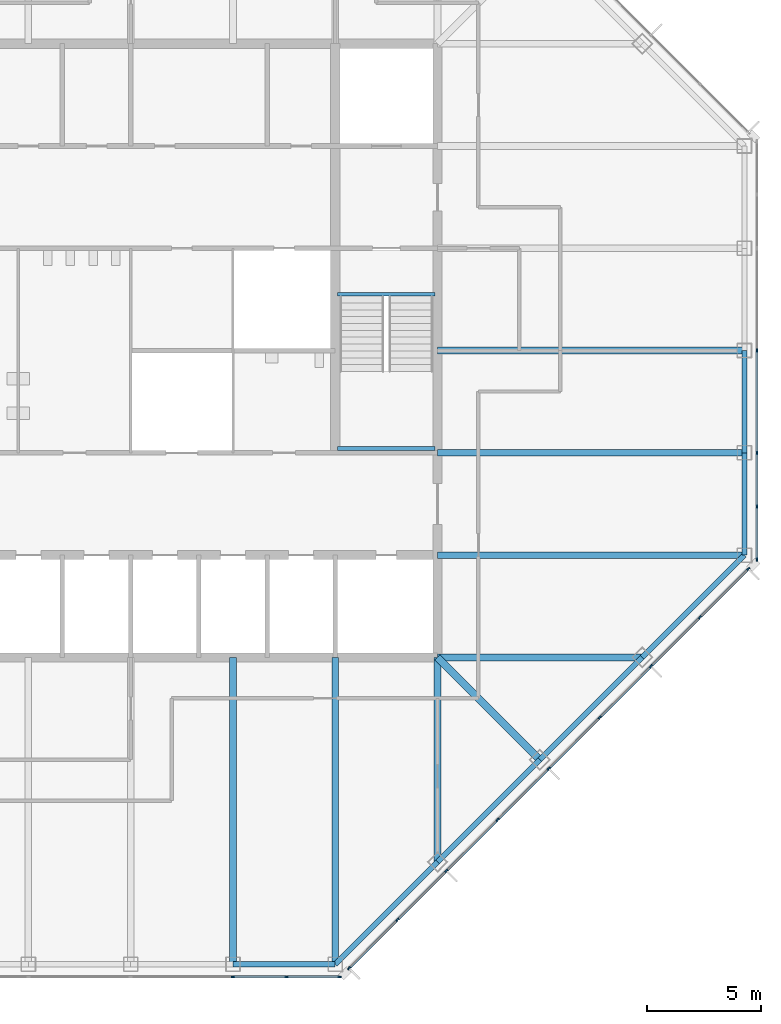
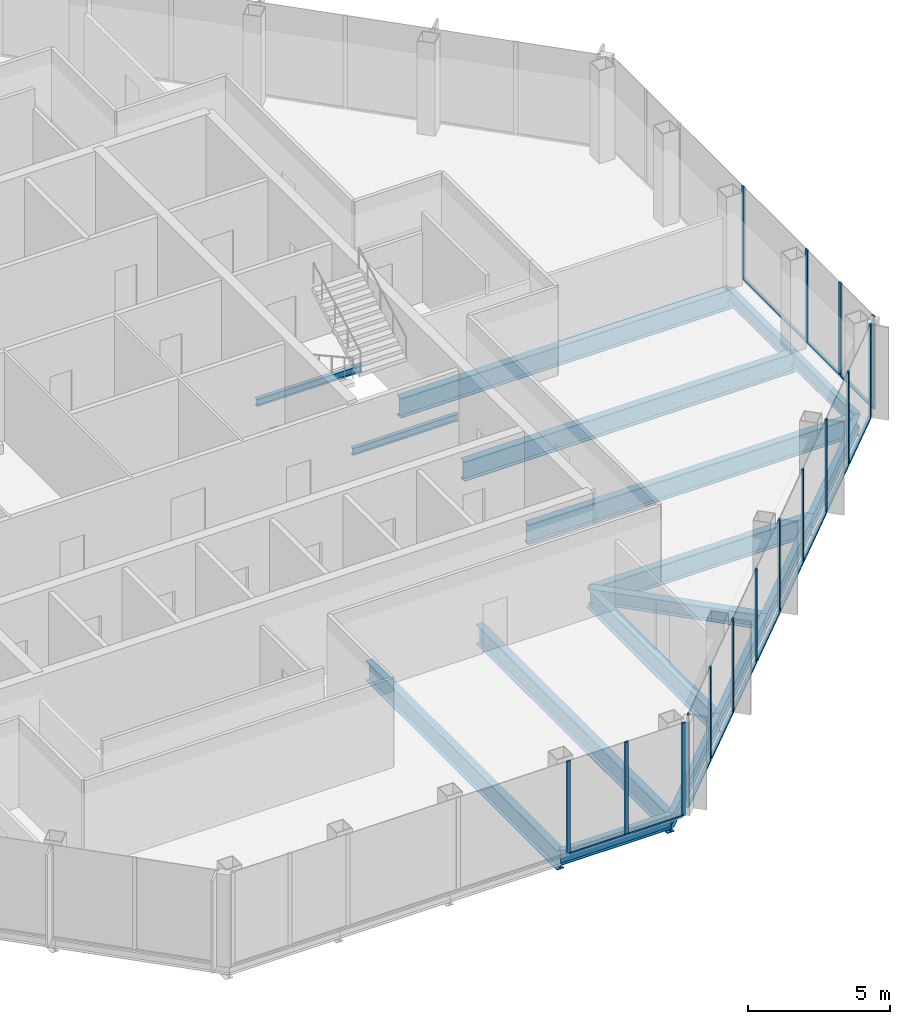
# One storey, part 4 of 13: 29 members, 17 beams, 3 elements without a shape of their own.
"""IFC4 building model written with IfcOpenShell, lengths in metres."""

from ifc_helpers import new_model, si_unit, direction, frame, origin, origin_2d, place, context, subcontext, project, spatial, rectangle, i_section, extrude, material, material_profile, profile_set, type_object, element, aggregate, save


model = new_model("IFC4")

# Units and contexts
model_context = context("Model", 3, precision=1e-05, world=origin(), true_north=direction((0.0, 1.0)))
body_context = subcontext(model_context, "Body", "Model", "MODEL_VIEW")
ifc_project = project(units=[si_unit("LENGTHUNIT", "METRE"), si_unit("AREAUNIT", "SQUARE_METRE"), si_unit("VOLUMEUNIT", "CUBIC_METRE"), si_unit("PLANEANGLEUNIT", "RADIAN"), si_unit("MASSUNIT", "GRAM", prefix="KILO")], contexts=[model_context])

# Site, building, storey
site_placement = place(None, origin())
site = spatial("IfcSite", under=ifc_project, at=site_placement, CompositionType="ELEMENT")
building_placement = place(site_placement, origin())
building = spatial("IfcBuilding", under=site, at=building_placement, Name="Corais Broadcast Tower", CompositionType="ELEMENT")
storey_placement = place(building_placement, frame((0.0, 0.0, 242.60009765625)))
storey = spatial("IfcBuildingStorey", under=building, at=storey_placement, Name="L56", CompositionType="ELEMENT", Elevation=242.60009765625)

# Beams
ifc_material_1 = material(Name="Steel ASTM A572 Grade 50", Category="steel")
ifc_material_profile_1 = material_profile(ifc_material_1, i_section(OverallWidth=0.323974609375, OverallDepth=0.611083984375, WebThickness=0.0126953125, FlangeThickness=0.01904296875, at=origin_2d()), Name="W610x155")
ifc_profile_set_1 = profile_set([ifc_material_profile_1], Name="Steel ASTM A572 Grade 50")
beam_type_1 = type_object("IfcBeamType", Name="Corner diagonal W610x155", PredefinedType="BEAM", material=ifc_profile_set_1)
beam_1_placement = place(storey_placement, frame((45.0, 9.0, -0.465576171875), z_axis=(-0.707106781187, 0.707106781187, 0.0), x_axis=(-0.707106781187, -0.707106781187, 0.0)))
element("IfcBeam", 1, at=beam_1_placement, inside=storey, type_object=beam_type_1, Name="B6 C/13 to D/12", PredefinedType="BEAM", context=body_context, shape_type="SweptSolid", body=[
    extrude(i_section(OverallWidth=0.323974609375, OverallDepth=0.611083984375, WebThickness=0.0126953125, FlangeThickness=0.01904296875, at=origin_2d()), origin(), (0.0, 0.0, 1.0), 6.364013671875),
])
ifc_material_2 = material(Name="Steel ASTM A572 Grade 50", Category="steel")
ifc_material_profile_2 = material_profile(ifc_material_2, i_section(OverallWidth=0.2939453125, OverallDepth=0.85107421875, WebThickness=0.01611328125, FlangeThickness=0.02685546875, at=origin_2d()), Name="W840x226")
ifc_profile_set_2 = profile_set([ifc_material_profile_2], Name="Steel ASTM A572 Grade 50")
beam_type_2 = type_object("IfcBeamType", Name="Floor beam W840x226", PredefinedType="BEAM", material=ifc_profile_set_2)
for number, where, z_axis, x_axis, name in (
    (2, (31.5, 0.0, -0.585693359375), (0.0, 1.0, 0.0), (-1.0, 0.0, 0.0), "B1 A/10 to D/10"),
    (3, (36.0, 0.0, -0.585693359375), (0.0, 1.0, 0.0), (-1.0, 0.0, 0.0), "B1 A/11 to D/11"),
):
    element("IfcBeam", number, at=place(storey_placement, frame(where, z_axis=z_axis, x_axis=x_axis)), inside=storey, type_object=beam_type_2, Name=name, PredefinedType="BEAM", context=body_context, shape_type="SweptSolid", body=[
        extrude(i_section(OverallWidth=0.2939453125, OverallDepth=0.85107421875, WebThickness=0.01611328125, FlangeThickness=0.02685546875, at=origin_2d()), origin(), (0.0, 0.0, 1.0), 13.5),
    ])
for number, where, z_axis, x_axis, name in (
    (4, (40.5, 4.5, -0.585693359375), (0.0, 1.0, 0.0), (-1.0, 0.0, 0.0), "B1 B/12 to D/12"),
    (5, (49.5, 13.5, -0.585693359375), (-1.0, 0.0, 0.0), (0.0, -1.0, 0.0), "B1 D/14 to D/12"),
):
    element("IfcBeam", number, at=place(storey_placement, frame(where, z_axis=z_axis, x_axis=x_axis)), inside=storey, type_object=beam_type_2, Name=name, PredefinedType="BEAM", context=body_context, shape_type="SweptSolid", body=[
        extrude(i_section(OverallWidth=0.2939453125, OverallDepth=0.85107421875, WebThickness=0.01611328125, FlangeThickness=0.02685546875, at=origin_2d()), origin(), (0.0, 0.0, 1.0), 9.0),
    ])
for number, where, z_axis, x_axis, name in (
    (6, (54.0, 18.0, -0.585693359375), (-1.0, 0.0, 0.0), (0.0, -1.0, 0.0), "B1 E/15 to E/12"),
    (7, (54.0, 22.5, -0.585693359375), (-1.0, 0.0, 0.0), (0.0, -1.0, 0.0), "B1 F/15 to F/12"),
    (8, (54.0, 27.0, -0.585693359375), (-1.0, 0.0, 0.0), (0.0, -1.0, 0.0), "B1 G/15 to G/12"),
):
    element("IfcBeam", number, at=place(storey_placement, frame(where, z_axis=z_axis, x_axis=x_axis)), inside=storey, type_object=beam_type_2, Name=name, PredefinedType="BEAM", context=body_context, shape_type="SweptSolid", body=[
        extrude(i_section(OverallWidth=0.2939453125, OverallDepth=0.85107421875, WebThickness=0.01611328125, FlangeThickness=0.02685546875, at=origin_2d()), origin(), (0.0, 0.0, 1.0), 13.5),
    ])
ifc_material_3 = material(Name="Steel ASTM A572 Grade 50", Category="steel")
ifc_material_profile_3 = material_profile(ifc_material_3, i_section(OverallWidth=0.1650390625, OverallDepth=0.31005859375, WebThickness=0.005859375, FlangeThickness=0.009765625, at=origin_2d()), Name="W310x38.7")
ifc_profile_set_3 = profile_set([ifc_material_profile_3], Name="Steel ASTM A572 Grade 50")
beam_type_3 = type_object("IfcBeamType", Name="Landing trimmer W310x38.7", PredefinedType="BEAM", material=ifc_profile_set_3)
for number, where, z_axis, x_axis, name in (
    (9, (36.10009765625, 29.47509765625, -0.35498046875), (1.0, 0.0, 0.0), (0.0, 1.0, 0.0), "LT1 stair B landing trimmer L56"),
    (10, (36.10009765625, 22.68994140625, 1.64501953125), (1.0, 0.0, 0.0), (0.0, 1.0, 0.0), "LT1 stair B half landing trimmer L56"),
):
    element("IfcBeam", number, at=place(storey_placement, frame(where, z_axis=z_axis, x_axis=x_axis)), inside=storey, type_object=beam_type_3, Name=name, PredefinedType="BEAM", context=body_context, shape_type="SweptSolid", body=[
        extrude(i_section(OverallWidth=0.1650390625, OverallDepth=0.31005859375, WebThickness=0.005859375, FlangeThickness=0.009765625, at=origin_2d()), origin(), (0.0, 0.0, 1.0), 4.2998046875),
    ])

# Curtain wall, members
ifc_material_4 = material(Name="Aluminium and glass", Category="aluminium")
curtain_wall_type = type_object("IfcCurtainWallType", Name="Unitised fritted curtain wall CW3", PredefinedType="NOTDEFINED", material=ifc_material_4)
curtain_wall_1_placement = place(storey_placement, origin())
curtain_wall_1 = element("IfcCurtainWall", 11, at=curtain_wall_1_placement, inside=storey, type_object=curtain_wall_type, Name="CW3 curtain wall L56 6", PredefinedType="NOTDEFINED")
ifc_material_5 = material(Name="Aluminium 6063-T6", Category="aluminium")
ifc_material_profile_4 = material_profile(ifc_material_5, rectangle(XDim=0.06494140625, YDim=0.159912109375, at=origin_2d()), Name="Mullion CW3 65x160")
ifc_profile_set_4 = profile_set([ifc_material_profile_4], Name="Aluminium 6063-T6")
member_type_1 = type_object("IfcMemberType", Name="Mullion CW3 65x160", PredefinedType="MULLION", material=ifc_profile_set_4)
member_1_placement = place(storey_placement, frame((54.550048828125, 27.0, 0.0), z_axis=(0.0, 0.0, 1.0), x_axis=(1.0, 0.0, 0.0)))
member_1 = element("IfcMember", 12, at=member_1_placement, type_object=member_type_1, Name="CW3 mullion 4", PredefinedType="MULLION", context=body_context, shape_type="SweptSolid", body=[
    extrude(rectangle(XDim=0.06494140625, YDim=0.159912109375, at=origin_2d()), origin(), (0.0, 0.0, 1.0), 4.0),
])
member_2_placement = place(storey_placement, frame((54.550048828125, 22.5, 0.0), z_axis=(0.0, 0.0, 1.0), x_axis=(1.0, 0.0, 0.0)))
member_2 = element("IfcMember", 13, at=member_2_placement, type_object=member_type_1, Name="CW3 mullion 5", PredefinedType="MULLION", context=body_context, shape_type="SweptSolid", body=[
    extrude(rectangle(XDim=0.06494140625, YDim=0.159912109375, at=origin_2d()), origin(), (0.0, 0.0, 1.0), 4.0),
])
member_3_placement = place(storey_placement, frame((54.550048828125, 20.135986328125, 0.0), z_axis=(0.0, 0.0, 1.0), x_axis=(1.0, 0.0, 0.0)))
member_3 = element("IfcMember", 14, at=member_3_placement, type_object=member_type_1, Name="CW3 mullion 6", PredefinedType="MULLION", context=body_context, shape_type="SweptSolid", body=[
    extrude(rectangle(XDim=0.06494140625, YDim=0.159912109375, at=origin_2d()), origin(), (0.0, 0.0, 1.0), 4.0),
])
member_4_placement = place(storey_placement, frame((54.550048828125, 17.8046875, 0.0), z_axis=(0.0, 0.0, 1.0), x_axis=(1.0, 0.0, 0.0)))
member_4 = element("IfcMember", 15, at=member_4_placement, type_object=member_type_1, Name="CW3 mullion 7", PredefinedType="MULLION", context=body_context, shape_type="SweptSolid", body=[
    extrude(rectangle(XDim=0.06494140625, YDim=0.159912109375, at=origin_2d()), origin(), (0.0, 0.0, 1.0), 4.0),
])

curtain_wall_2_placement = place(storey_placement, origin())
curtain_wall_2 = element("IfcCurtainWall", 16, at=curtain_wall_2_placement, inside=storey, type_object=curtain_wall_type, Name="CW3 curtain wall L56 7", PredefinedType="NOTDEFINED")
member_5_placement = place(storey_placement, frame((54.17333984375, 17.3955078125, 0.0), z_axis=(0.0, 0.0, 1.0), x_axis=(0.707106781187, -0.707106781187, 0.0)))
member_5 = element("IfcMember", 17, at=member_5_placement, type_object=member_type_1, Name="CW3 mullion 1", PredefinedType="MULLION", context=body_context, shape_type="SweptSolid", body=[
    extrude(rectangle(XDim=0.06494140625, YDim=0.159912109375, at=origin_2d()), origin(), (0.0, 0.0, 1.0), 4.0),
])
member_6_placement = place(storey_placement, frame((52.042724609375, 15.264892578125, 0.0), z_axis=(0.0, 0.0, 1.0), x_axis=(0.707106781187, -0.707106781187, 0.0)))
member_6 = element("IfcMember", 18, at=member_6_placement, type_object=member_type_1, Name="CW3 mullion 2", PredefinedType="MULLION", context=body_context, shape_type="SweptSolid", body=[
    extrude(rectangle(XDim=0.06494140625, YDim=0.159912109375, at=origin_2d()), origin(), (0.0, 0.0, 1.0), 4.0),
])
member_7_placement = place(storey_placement, frame((49.888916015625, 13.111083984375, 0.0), z_axis=(0.0, 0.0, 1.0), x_axis=(0.707106781187, -0.707106781187, 0.0)))
member_7 = element("IfcMember", 19, at=member_7_placement, type_object=member_type_1, Name="CW3 mullion 3", PredefinedType="MULLION", context=body_context, shape_type="SweptSolid", body=[
    extrude(rectangle(XDim=0.06494140625, YDim=0.159912109375, at=origin_2d()), origin(), (0.0, 0.0, 1.0), 4.0),
])
member_8_placement = place(storey_placement, frame((47.638916015625, 10.861083984375, 0.0), z_axis=(0.0, 0.0, 1.0), x_axis=(0.707106781187, -0.707106781187, 0.0)))
member_8 = element("IfcMember", 20, at=member_8_placement, type_object=member_type_1, Name="CW3 mullion 4", PredefinedType="MULLION", context=body_context, shape_type="SweptSolid", body=[
    extrude(rectangle(XDim=0.06494140625, YDim=0.159912109375, at=origin_2d()), origin(), (0.0, 0.0, 1.0), 4.0),
])
member_9_placement = place(storey_placement, frame((45.388916015625, 8.611083984375, 0.0), z_axis=(0.0, 0.0, 1.0), x_axis=(0.707106781187, -0.707106781187, 0.0)))
member_9 = element("IfcMember", 21, at=member_9_placement, type_object=member_type_1, Name="CW3 mullion 5", PredefinedType="MULLION", context=body_context, shape_type="SweptSolid", body=[
    extrude(rectangle(XDim=0.06494140625, YDim=0.159912109375, at=origin_2d()), origin(), (0.0, 0.0, 1.0), 4.0),
])
member_10_placement = place(storey_placement, frame((43.138916015625, 6.361083984375, 0.0), z_axis=(0.0, 0.0, 1.0), x_axis=(0.707106781187, -0.707106781187, 0.0)))
member_10 = element("IfcMember", 22, at=member_10_placement, type_object=member_type_1, Name="CW3 mullion 6", PredefinedType="MULLION", context=body_context, shape_type="SweptSolid", body=[
    extrude(rectangle(XDim=0.06494140625, YDim=0.159912109375, at=origin_2d()), origin(), (0.0, 0.0, 1.0), 4.0),
])
member_11_placement = place(storey_placement, frame((40.888916015625, 4.111083984375, 0.0), z_axis=(0.0, 0.0, 1.0), x_axis=(0.707106781187, -0.707106781187, 0.0)))
member_11 = element("IfcMember", 23, at=member_11_placement, type_object=member_type_1, Name="CW3 mullion 7", PredefinedType="MULLION", context=body_context, shape_type="SweptSolid", body=[
    extrude(rectangle(XDim=0.06494140625, YDim=0.159912109375, at=origin_2d()), origin(), (0.0, 0.0, 1.0), 4.0),
])
member_12_placement = place(storey_placement, frame((38.735107421875, 1.957275390625, 0.0), z_axis=(0.0, 0.0, 1.0), x_axis=(0.707106781187, -0.707106781187, 0.0)))
member_12 = element("IfcMember", 24, at=member_12_placement, type_object=member_type_1, Name="CW3 mullion 8", PredefinedType="MULLION", context=body_context, shape_type="SweptSolid", body=[
    extrude(rectangle(XDim=0.06494140625, YDim=0.159912109375, at=origin_2d()), origin(), (0.0, 0.0, 1.0), 4.0),
])
member_13_placement = place(storey_placement, frame((36.6044921875, -0.17333984375, 0.0), z_axis=(0.0, 0.0, 1.0), x_axis=(0.707106781187, -0.707106781187, 0.0)))
member_13 = element("IfcMember", 25, at=member_13_placement, type_object=member_type_1, Name="CW3 mullion 9", PredefinedType="MULLION", context=body_context, shape_type="SweptSolid", body=[
    extrude(rectangle(XDim=0.06494140625, YDim=0.159912109375, at=origin_2d()), origin(), (0.0, 0.0, 1.0), 4.0),
])

curtain_wall_3_placement = place(storey_placement, origin())
curtain_wall_3 = element("IfcCurtainWall", 26, at=curtain_wall_3_placement, inside=storey, type_object=curtain_wall_type, Name="CW3 curtain wall L56 8", PredefinedType="NOTDEFINED")
member_14_placement = place(storey_placement, frame((36.1953125, -0.550048828125, 0.0), z_axis=(0.0, 0.0, 1.0), x_axis=(0.0, -1.0, 0.0)))
member_14 = element("IfcMember", 27, at=member_14_placement, type_object=member_type_1, Name="CW3 mullion 1", PredefinedType="MULLION", context=body_context, shape_type="SweptSolid", body=[
    extrude(rectangle(XDim=0.06494140625, YDim=0.159912109375, at=origin_2d()), origin(), (0.0, 0.0, 1.0), 4.0),
])
member_15_placement = place(storey_placement, frame((33.864013671875, -0.550048828125, 0.0), z_axis=(0.0, 0.0, 1.0), x_axis=(0.0, -1.0, 0.0)))
member_15 = element("IfcMember", 28, at=member_15_placement, type_object=member_type_1, Name="CW3 mullion 2", PredefinedType="MULLION", context=body_context, shape_type="SweptSolid", body=[
    extrude(rectangle(XDim=0.06494140625, YDim=0.159912109375, at=origin_2d()), origin(), (0.0, 0.0, 1.0), 4.0),
])
member_16_placement = place(storey_placement, frame((31.5, -0.550048828125, 0.0), z_axis=(0.0, 0.0, 1.0), x_axis=(0.0, -1.0, 0.0)))
member_16 = element("IfcMember", 29, at=member_16_placement, type_object=member_type_1, Name="CW3 mullion 3", PredefinedType="MULLION", context=body_context, shape_type="SweptSolid", body=[
    extrude(rectangle(XDim=0.06494140625, YDim=0.159912109375, at=origin_2d()), origin(), (0.0, 0.0, 1.0), 4.0),
])

# Beams
ifc_material_6 = material(Name="Steel ASTM A572 Grade 50", Category="steel")
ifc_material_profile_5 = material_profile(ifc_material_6, i_section(OverallWidth=0.22998046875, OverallDepth=0.616943359375, WebThickness=0.01318359375, FlangeThickness=0.022216796875, at=origin_2d()), Name="W610x140")
ifc_profile_set_5 = profile_set([ifc_material_profile_5], Name="Steel ASTM A572 Grade 50")
beam_type_4 = type_object("IfcBeamType", Name="Spandrel W610x140", PredefinedType="BEAM", material=ifc_profile_set_5)
beam_2_placement = place(storey_placement, frame((31.5, 0.0, -0.468505859375), z_axis=(1.0, 0.0, 0.0), x_axis=(0.0, 1.0, 0.0)))
element("IfcBeam", 30, at=beam_2_placement, inside=storey, type_object=beam_type_4, Name="SB3 A/10 to A/11", PredefinedType="BEAM", context=body_context, shape_type="SweptSolid", body=[
    extrude(i_section(OverallWidth=0.22998046875, OverallDepth=0.616943359375, WebThickness=0.01318359375, FlangeThickness=0.022216796875, at=origin_2d()), origin(), (0.0, 0.0, 1.0), 4.5),
])
for number, where, z_axis, x_axis, name in (
    (31, (36.0, 0.0, -0.468505859375), (0.707106781187, 0.707106781187, 0.0), (-0.707106781187, 0.707106781187, 0.0), "SB3 A/11 to B/12"),
    (32, (40.5, 4.5, -0.468505859375), (0.707106781187, 0.707106781187, 0.0), (-0.707106781187, 0.707106781187, 0.0), "SB3 B/12 to C/13"),
    (33, (45.0, 9.0, -0.468505859375), (0.707106781187, 0.707106781187, 0.0), (-0.707106781187, 0.707106781187, 0.0), "SB3 C/13 to D/14"),
    (34, (49.5, 13.5, -0.468505859375), (0.707106781187, 0.707106781187, 0.0), (-0.707106781187, 0.707106781187, 0.0), "SB3 D/14 to E/15"),
):
    element("IfcBeam", number, at=place(storey_placement, frame(where, z_axis=z_axis, x_axis=x_axis)), inside=storey, type_object=beam_type_4, Name=name, PredefinedType="BEAM", context=body_context, shape_type="SweptSolid", body=[
        extrude(i_section(OverallWidth=0.22998046875, OverallDepth=0.616943359375, WebThickness=0.01318359375, FlangeThickness=0.022216796875, at=origin_2d()), origin(), (0.0, 0.0, 1.0), 6.364013671875),
    ])
for number, where, z_axis, x_axis, name in (
    (35, (54.0, 18.0, -0.468505859375), (0.0, 1.0, 0.0), (-1.0, 0.0, 0.0), "SB3 E/15 to F/15"),
    (36, (54.0, 22.5, -0.468505859375), (0.0, 1.0, 0.0), (-1.0, 0.0, 0.0), "SB3 F/15 to G/15"),
):
    element("IfcBeam", number, at=place(storey_placement, frame(where, z_axis=z_axis, x_axis=x_axis)), inside=storey, type_object=beam_type_4, Name=name, PredefinedType="BEAM", context=body_context, shape_type="SweptSolid", body=[
        extrude(i_section(OverallWidth=0.22998046875, OverallDepth=0.616943359375, WebThickness=0.01318359375, FlangeThickness=0.022216796875, at=origin_2d()), origin(), (0.0, 0.0, 1.0), 4.5),
    ])

# Member
ifc_material_7 = material(Name="Aluminium 6063-T6", Category="aluminium")
ifc_material_profile_6 = material_profile(ifc_material_7, rectangle(XDim=0.1201171875, YDim=0.06494140625, at=origin_2d()), Name="Transom CW3 65x120")
ifc_profile_set_6 = profile_set([ifc_material_profile_6], Name="Aluminium 6063-T6")
member_type_2 = type_object("IfcMemberType", Name="Transom CW3 65x120", PredefinedType="USERDEFINED", material=ifc_profile_set_6)
member_17_placement = place(storey_placement, frame((54.550048828125, 26.967529296875, 0.032470703125), z_axis=(0.0, -1.0, 0.0), x_axis=(1.0, 0.0, 0.0)))
member_17 = element("IfcMember", 37, at=member_17_placement, type_object=member_type_2, Name="CW3 transom 4.1", ObjectType="TRANSOM", PredefinedType="USERDEFINED", context=body_context, shape_type="SweptSolid", body=[
    extrude(rectangle(XDim=0.1201171875, YDim=0.06494140625, at=origin_2d()), origin(), (0.0, 0.0, 1.0), 4.43505859375),
])

member_18_placement = place(storey_placement, frame((54.550048828125, 22.467529296875, 0.032470703125), z_axis=(0.0, -1.0, 0.0), x_axis=(1.0, 0.0, 0.0)))
member_18 = element("IfcMember", 38, at=member_18_placement, type_object=member_type_2, Name="CW3 transom 5.1", ObjectType="TRANSOM", PredefinedType="USERDEFINED", context=body_context, shape_type="SweptSolid", body=[
    extrude(rectangle(XDim=0.1201171875, YDim=0.06494140625, at=origin_2d()), origin(), (0.0, 0.0, 1.0), 2.298828125),
])

member_19_placement = place(storey_placement, frame((54.550048828125, 20.103515625, 0.032470703125), z_axis=(0.0, -1.0, 0.0), x_axis=(1.0, 0.0, 0.0)))
member_19 = element("IfcMember", 39, at=member_19_placement, type_object=member_type_2, Name="CW3 transom 6.1", ObjectType="TRANSOM", PredefinedType="USERDEFINED", context=body_context, shape_type="SweptSolid", body=[
    extrude(rectangle(XDim=0.1201171875, YDim=0.06494140625, at=origin_2d()), origin(), (0.0, 0.0, 1.0), 2.266357421875),
])

aggregate(curtain_wall_1, [member_1, member_2, member_3, member_4, member_17, member_18, member_19])

member_20_placement = place(storey_placement, frame((54.150390625, 17.37255859375, 0.032470703125), z_axis=(-0.707106781187, -0.707106781187, 0.0), x_axis=(0.707106781187, -0.707106781187, 0.0)))
member_20 = element("IfcMember", 40, at=member_20_placement, type_object=member_type_2, Name="CW3 transom 1.1", ObjectType="TRANSOM", PredefinedType="USERDEFINED", context=body_context, shape_type="SweptSolid", body=[
    extrude(rectangle(XDim=0.1201171875, YDim=0.06494140625, at=origin_2d()), origin(), (0.0, 0.0, 1.0), 2.9482421875),
])

member_21_placement = place(storey_placement, frame((52.019775390625, 15.241943359375, 0.032470703125), z_axis=(-0.707106781187, -0.707106781187, 0.0), x_axis=(0.707106781187, -0.707106781187, 0.0)))
member_21 = element("IfcMember", 41, at=member_21_placement, type_object=member_type_2, Name="CW3 transom 2.1", ObjectType="TRANSOM", PredefinedType="USERDEFINED", context=body_context, shape_type="SweptSolid", body=[
    extrude(rectangle(XDim=0.1201171875, YDim=0.06494140625, at=origin_2d()), origin(), (0.0, 0.0, 1.0), 2.98095703125),
])

member_22_placement = place(storey_placement, frame((49.865966796875, 13.088134765625, 0.032470703125), z_axis=(-0.707106781187, -0.707106781187, 0.0), x_axis=(0.707106781187, -0.707106781187, 0.0)))
member_22 = element("IfcMember", 42, at=member_22_placement, type_object=member_type_2, Name="CW3 transom 3.1", ObjectType="TRANSOM", PredefinedType="USERDEFINED", context=body_context, shape_type="SweptSolid", body=[
    extrude(rectangle(XDim=0.1201171875, YDim=0.06494140625, at=origin_2d()), origin(), (0.0, 0.0, 1.0), 3.1171875),
])

member_23_placement = place(storey_placement, frame((47.615966796875, 10.838134765625, 0.032470703125), z_axis=(-0.707106781187, -0.707106781187, 0.0), x_axis=(0.707106781187, -0.707106781187, 0.0)))
member_23 = element("IfcMember", 43, at=member_23_placement, type_object=member_type_2, Name="CW3 transom 4.1", ObjectType="TRANSOM", PredefinedType="USERDEFINED", context=body_context, shape_type="SweptSolid", body=[
    extrude(rectangle(XDim=0.1201171875, YDim=0.06494140625, at=origin_2d()), origin(), (0.0, 0.0, 1.0), 3.1171875),
])

member_24_placement = place(storey_placement, frame((45.365966796875, 8.588134765625, 0.032470703125), z_axis=(-0.707106781187, -0.707106781187, 0.0), x_axis=(0.707106781187, -0.707106781187, 0.0)))
member_24 = element("IfcMember", 44, at=member_24_placement, type_object=member_type_2, Name="CW3 transom 5.1", ObjectType="TRANSOM", PredefinedType="USERDEFINED", context=body_context, shape_type="SweptSolid", body=[
    extrude(rectangle(XDim=0.1201171875, YDim=0.06494140625, at=origin_2d()), origin(), (0.0, 0.0, 1.0), 3.1171875),
])

member_25_placement = place(storey_placement, frame((43.115966796875, 6.338134765625, 0.032470703125), z_axis=(-0.707106781187, -0.707106781187, 0.0), x_axis=(0.707106781187, -0.707106781187, 0.0)))
member_25 = element("IfcMember", 45, at=member_25_placement, type_object=member_type_2, Name="CW3 transom 6.1", ObjectType="TRANSOM", PredefinedType="USERDEFINED", context=body_context, shape_type="SweptSolid", body=[
    extrude(rectangle(XDim=0.1201171875, YDim=0.06494140625, at=origin_2d()), origin(), (0.0, 0.0, 1.0), 3.1171875),
])

member_26_placement = place(storey_placement, frame((40.865966796875, 4.088134765625, 0.032470703125), z_axis=(-0.70714773134, -0.707065828661, 0.0), x_axis=(0.707065828661, -0.70714773134, 0.0)))
member_26 = element("IfcMember", 46, at=member_26_placement, type_object=member_type_2, Name="CW3 transom 7.1", ObjectType="TRANSOM", PredefinedType="USERDEFINED", context=body_context, shape_type="SweptSolid", body=[
    extrude(rectangle(XDim=0.1201171875, YDim=0.06494140625, at=origin_2d()), origin(), (0.0, 0.0, 1.0), 2.98095703125),
])

member_27_placement = place(storey_placement, frame((38.712158203125, 1.934326171875, 0.032470703125), z_axis=(-0.707106781187, -0.707106781187, 0.0), x_axis=(0.707106781187, -0.707106781187, 0.0)))
member_27 = element("IfcMember", 47, at=member_27_placement, type_object=member_type_2, Name="CW3 transom 8.1", ObjectType="TRANSOM", PredefinedType="USERDEFINED", context=body_context, shape_type="SweptSolid", body=[
    extrude(rectangle(XDim=0.1201171875, YDim=0.06494140625, at=origin_2d()), origin(), (0.0, 0.0, 1.0), 2.9482421875),
])

aggregate(curtain_wall_2, [member_5, member_6, member_7, member_8, member_9, member_10, member_11, member_12, member_13, member_20, member_21, member_22, member_23, member_24, member_25, member_26, member_27])

member_28_placement = place(storey_placement, frame((36.162841796875, -0.550048828125, 0.032470703125), z_axis=(-1.0, 0.0, 0.0), x_axis=(0.0, -1.0, 0.0)))
member_28 = element("IfcMember", 48, at=member_28_placement, type_object=member_type_2, Name="CW3 transom 1.1", ObjectType="TRANSOM", PredefinedType="USERDEFINED", context=body_context, shape_type="SweptSolid", body=[
    extrude(rectangle(XDim=0.1201171875, YDim=0.06494140625, at=origin_2d()), origin(), (0.0, 0.0, 1.0), 2.266357421875),
])

member_29_placement = place(storey_placement, frame((33.831298828125, -0.550048828125, 0.032470703125), z_axis=(-1.0, 0.0, 0.0), x_axis=(0.0, -1.0, 0.0)))
member_29 = element("IfcMember", 49, at=member_29_placement, type_object=member_type_2, Name="CW3 transom 2.1", ObjectType="TRANSOM", PredefinedType="USERDEFINED", context=body_context, shape_type="SweptSolid", body=[
    extrude(rectangle(XDim=0.1201171875, YDim=0.06494140625, at=origin_2d()), origin(), (0.0, 0.0, 1.0), 2.298828125),
])

aggregate(curtain_wall_3, [member_14, member_15, member_16, member_28, member_29])

save(model, "model.ifc")
